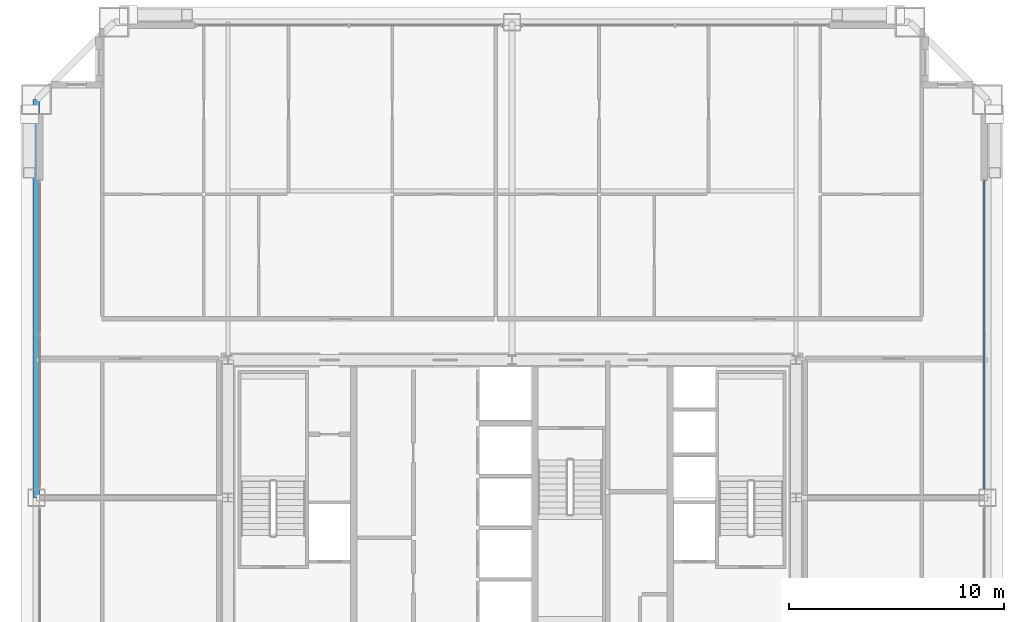
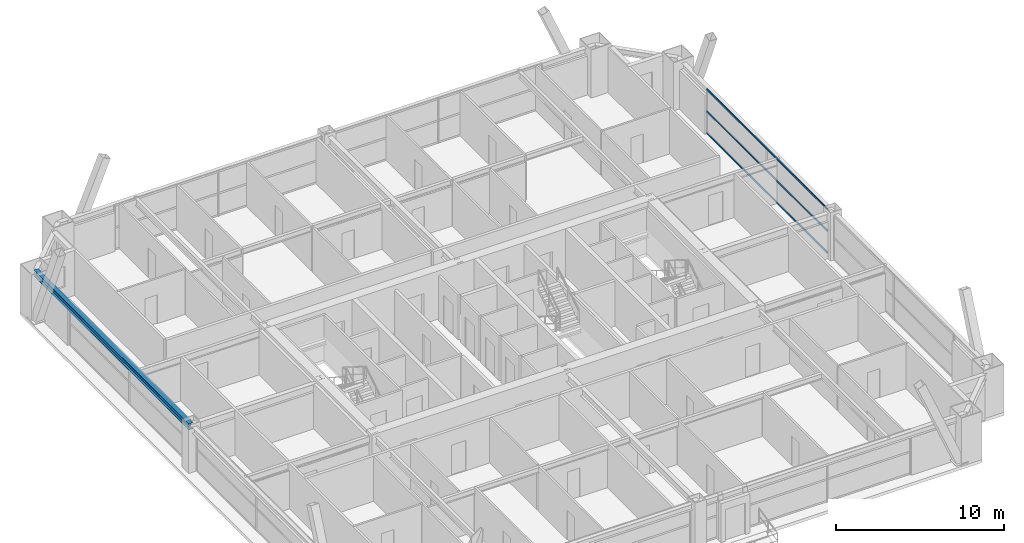
# One storey, part 29 of 45: 3 members, 1 beam, 1 element without a shape of its own.
"""IFC4 building model written with IfcOpenShell, lengths in metres."""

from ifc_helpers import new_model, si_unit, direction, frame, origin, origin_2d, place, context, subcontext, project, spatial, hollow_rectangle, i_section, extrude, source, transform, mapped, material, layer, layer_set, material_profile, profile_set, type_object, element, aggregate, save


model = new_model("IFC4")

# Units and contexts
model_context = context("Model", 3, precision=1e-05, world=origin(), true_north=direction((0.0, 1.0)))
body_context = subcontext(model_context, "Body", "Model", "MODEL_VIEW")
ifc_project = project(units=[si_unit("LENGTHUNIT", "METRE"), si_unit("AREAUNIT", "SQUARE_METRE"), si_unit("VOLUMEUNIT", "CUBIC_METRE"), si_unit("PLANEANGLEUNIT", "RADIAN"), si_unit("MASSUNIT", "GRAM", prefix="KILO"), si_unit("THERMODYNAMICTEMPERATUREUNIT", "KELVIN"), si_unit("POWERUNIT", "WATT")], contexts=[model_context])

# Site, building, storey
site_placement = place(None, origin())
site = spatial("IfcSite", under=ifc_project, at=site_placement, CompositionType="ELEMENT")
building_placement = place(site_placement, origin())
building = spatial("IfcBuilding", under=site, at=building_placement, Name="Yuzanri Waterfront Tower", CompositionType="ELEMENT")
storey_placement = place(building_placement, frame((0.0, 0.0, 212.5)))
storey = spatial("IfcBuildingStorey", under=building, at=storey_placement, Name="L56", CompositionType="ELEMENT", Elevation=212.5)

# Beam
ifc_material_1 = material(Name="Steel Q355B", Category="steel")
ifc_material_profile_1 = material_profile(ifc_material_1, i_section(OverallWidth=0.300048828125, OverallDepth=0.43994140625, WebThickness=0.010986328125, FlangeThickness=0.01806640625, at=origin_2d()), Name="HM 440x300x11x18")
ifc_profile_set_1 = profile_set([ifc_material_profile_1], Name="Steel Q355B")
beam_type = type_object("IfcBeamType", Name="Perimeter Spandrel Q355B HM 440x300", PredefinedType="SPANDREL", material=ifc_profile_set_1)
shared_shape_1 = source(origin(), body_context, "Body", "SweptSolid", [
    extrude(i_section(OverallWidth=0.300048828125, OverallDepth=0.43994140625, WebThickness=0.010986328125, FlangeThickness=0.01806640625, at=origin_2d()), origin(), (0.0, 0.0, 1.0), 18.5),
])
beam_placement = place(storey_placement, frame((14.89990234375, 44.300048828125, 3.06005859375), z_axis=(0.0, -1.0, 0.0), x_axis=(1.0, 0.0, 0.0)))
element("IfcBeam", 1, at=beam_placement, inside=storey, type_object=beam_type, Name="L56 Perimeter Spandrel W3-W2", PredefinedType="SPANDREL", context=body_context, shape_type="MappedRepresentation", body=[
    mapped(shared_shape_1, transform((0.0, 0.0, 0.0), scale=1.0)),
])

# Curtain wall, members
ifc_material_2 = material(Name="Anodized Architectural Bronze", Category="metal")
ifc_layer = layer(ifc_material_2, 0.159912109375)
ifc_layer_set = layer_set([ifc_layer], Name="Anodized Architectural Bronze")
curtain_wall_type = type_object("IfcCurtainWallType", Name="Anodized Bronze Mid-Rise Residential Acoustic Unitized Curtain Wall 7200", PredefinedType="NOTDEFINED", material=ifc_layer_set)
curtain_wall_placement = place(storey_placement, origin())
curtain_wall = element("IfcCurtainWall", 2, at=curtain_wall_placement, inside=storey, type_object=curtain_wall_type, Name="L56 Curtain Wall CW-L56-ER", PredefinedType="NOTDEFINED")
ifc_material_3 = material(Name="Anodized Architectural Bronze", Category="metal")
ifc_material_profile_2 = material_profile(ifc_material_3, hollow_rectangle(XDim=0.06494140625, YDim=0.1201171875, WallThickness=0.00341796875, at=origin_2d()), Name="CWT 65x120")
ifc_profile_set_2 = profile_set([ifc_material_profile_2], Name="Anodized Architectural Bronze")
member_type = type_object("IfcMemberType", Name="Anodized Bronze Secondary Curtain-Wall Transom 65x120", PredefinedType="USERDEFINED", material=ifc_profile_set_2)
shared_shape_2 = source(origin(), body_context, "Body", "SweptSolid", [
    extrude(hollow_rectangle(XDim=0.06494140625, YDim=0.1201171875, WallThickness=0.00341796875, at=origin_2d()), origin(), (0.0, 0.0, 1.0), 14.35009765625),
])
member_1_placement = place(storey_placement, frame((58.949951171875, 26.199951171875, 0.050048828125), z_axis=(0.0, 1.0, 0.0), x_axis=(-1.0, 0.0, 0.0)))
member_1 = element("IfcMember", 3, at=member_1_placement, type_object=member_type, Name="CW-L56-ER Transom 1", ObjectType="TRANSOM", PredefinedType="USERDEFINED", context=body_context, shape_type="MappedRepresentation", body=[
    mapped(shared_shape_2, transform((0.0, 0.0, 0.0), scale=1.0)),
])
member_2_placement = place(storey_placement, frame((58.949951171875, 26.199951171875, 1.639892578125), z_axis=(0.0, 1.0, 0.0), x_axis=(-1.0, 0.0, 0.0)))
member_2 = element("IfcMember", 4, at=member_2_placement, type_object=member_type, Name="CW-L56-ER Transom 2", ObjectType="TRANSOM", PredefinedType="USERDEFINED", context=body_context, shape_type="MappedRepresentation", body=[
    mapped(shared_shape_2, transform((0.0, 0.0, 0.0), scale=1.0)),
])
member_3_placement = place(storey_placement, frame((58.949951171875, 26.199951171875, 3.22998046875), z_axis=(0.0, 1.0, 0.0), x_axis=(-1.0, 0.0, 0.0)))
member_3 = element("IfcMember", 5, at=member_3_placement, type_object=member_type, Name="CW-L56-ER Transom 3", ObjectType="TRANSOM", PredefinedType="USERDEFINED", context=body_context, shape_type="MappedRepresentation", body=[
    mapped(shared_shape_2, transform((0.0, 0.0, 0.0), scale=1.0)),
])
aggregate(curtain_wall, [member_1, member_2, member_3])

save(model, "model.ifc")
